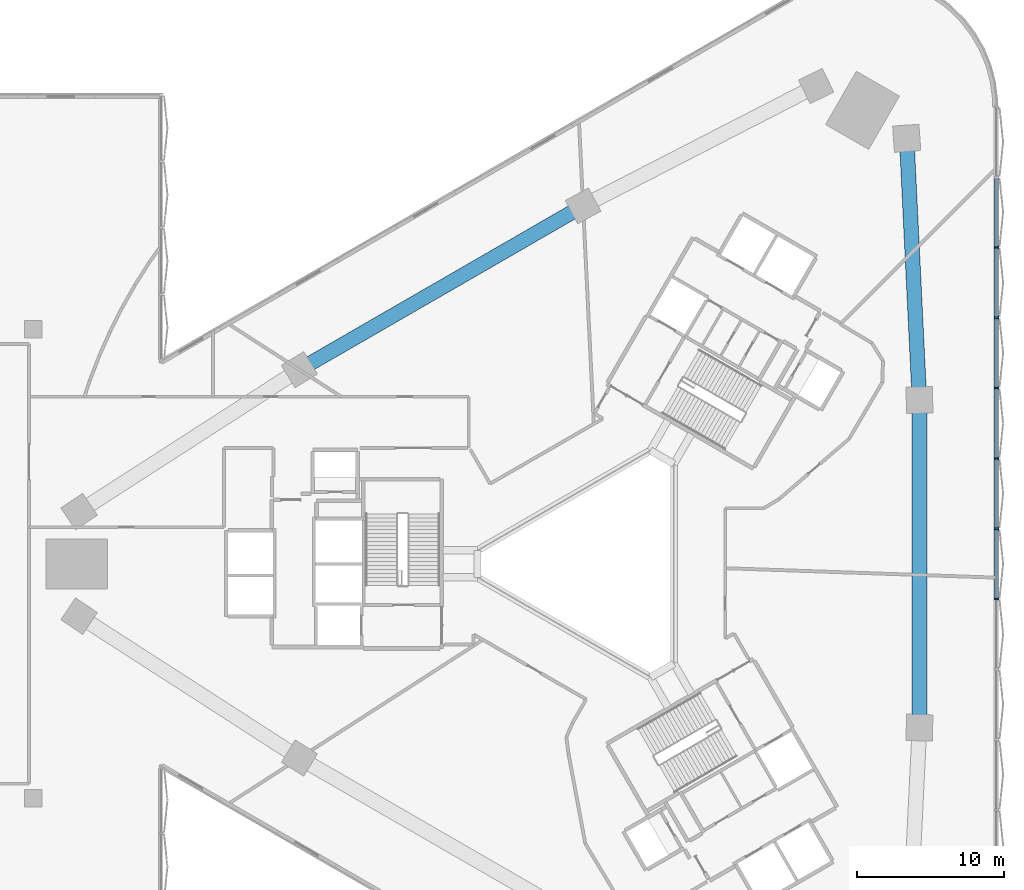
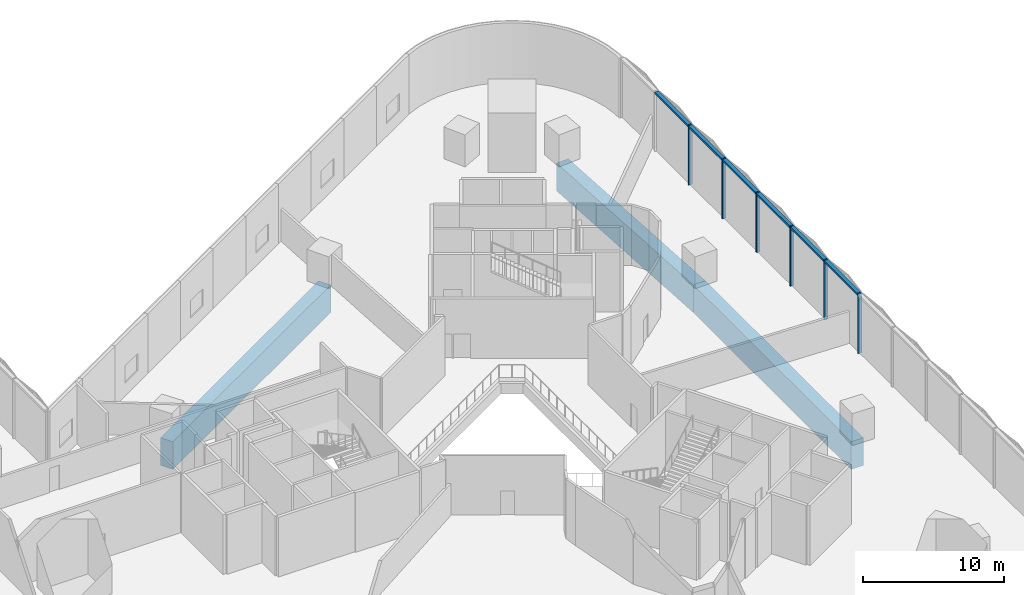
# One storey, part 7 of 31: 8 members, 3 beams, 1 element without a shape of its own.
"""IFC4 building model written with IfcOpenShell, lengths in metres."""

import ifcopenshell
import ifcopenshell.guid

model = None  # the IFC model being written
_history = None  # IfcOwnerHistory: only IFC2X3 demands one
_inside = {}  # id of a spatial element -> (the spatial element, [elements in it])
_under = {}  # id of a project, library or spatial element -> (it, [spatial elements below it])
_declared = {}  # id of a project -> (the project, [libraries it declares])
_typed = {}  # id of a type object -> (the type object, [elements of that type])
_made_of = {}  # id of a material, layer set ... -> (it, [elements and type objects made of it])


def new_model(schema):
    """Start an empty IFC model of exactly this schema.

    Asked for "IFC4X3", IfcOpenShell would pick the latest addendum, in which some entities
    have other attributes; the version numbers below select the first issue.
    IFC2X3 requires an IfcOwnerHistory on every rooted entity: one is made here for all.
    """
    global model, _history
    if schema == "IFC4X3":
        model = ifcopenshell.file(schema_version=(4, 3, 0, 0))
    else:
        model = ifcopenshell.file(schema=schema)
    _inside.clear()
    _under.clear()
    _declared.clear()
    _typed.clear()
    _made_of.clear()
    _history = None
    if model.schema == "IFC2X3":
        org = make("IfcOrganization", Name="unknown")
        user = make(
            "IfcPersonAndOrganization",
            ThePerson=make("IfcPerson", FamilyName="unknown"),
            TheOrganization=org,
        )
        app = make(
            "IfcApplication",
            ApplicationDeveloper=org,
            Version="unknown",
            ApplicationFullName="unknown",
            ApplicationIdentifier="unknown",
        )
        _history = make(
            "IfcOwnerHistory",
            OwningUser=user,
            OwningApplication=app,
            ChangeAction="ADDED",
            CreationDate=0,
        )
    return model


def make(cls, **values):
    """One entity of the class cls with the attributes given. An attribute that is None is left unset."""
    return model.create_entity(
        cls, **{name: value for name, value in values.items() if value is not None}
    )


def rooted(cls, **values):
    """An entity with a GlobalId (a new one), such as an element, a storey or a relation."""
    return make(cls, GlobalId=ifcopenshell.guid.new(), OwnerHistory=_history, **values)


def si_unit(unit_type, name, prefix=None):
    """IfcSIUnit, for example si_unit("LENGTHUNIT", "METRE", prefix="MILLI")."""
    return make("IfcSIUnit", UnitType=unit_type, Prefix=prefix, Name=name)


def assignment(units):
    """IfcUnitAssignment: the units of a project."""
    return None if units is None else make("IfcUnitAssignment", Units=units)


def point(xyz):
    """IfcCartesianPoint."""
    return None if xyz is None else make("IfcCartesianPoint", Coordinates=xyz)


def direction(xyz):
    """IfcDirection."""
    return None if xyz is None else make("IfcDirection", DirectionRatios=xyz)


def frame(location, z_axis=None, x_axis=None):
    """IfcAxis2Placement3D, a coordinate frame: its origin and axes. An axis left out is left unset."""
    return make(
        "IfcAxis2Placement3D",
        Location=point(location),
        Axis=direction(z_axis),
        RefDirection=direction(x_axis),
    )


def frame_2d(location, x_axis=None):
    """IfcAxis2Placement2D, a coordinate frame in the plane: its origin and x axis."""
    return make(
        "IfcAxis2Placement2D", Location=point(location), RefDirection=direction(x_axis)
    )


def origin():
    """The frame at (0, 0, 0) with its axes left unset."""
    return frame((0.0, 0.0, 0.0))


def origin_2d():
    """The frame at (0, 0) in the plane with its x axis left unset."""
    return frame_2d((0.0, 0.0))


def place(relative_to, where):
    """IfcLocalPlacement: puts the frame where relative to a parent placement (None: the world)."""
    return make(
        "IfcLocalPlacement", PlacementRelTo=relative_to, RelativePlacement=where
    )


def context(
    kind, dimensions, precision=None, world=None, true_north=None, identifier=None
):
    """IfcGeometricRepresentationContext, for example the 3D "Model" context."""
    return make(
        "IfcGeometricRepresentationContext",
        ContextIdentifier=identifier,
        ContextType=kind,
        CoordinateSpaceDimension=dimensions,
        Precision=precision,
        WorldCoordinateSystem=world,
        TrueNorth=true_north,
    )


def subcontext(parent, identifier, kind, view, scale=None):
    """IfcGeometricRepresentationSubContext, for example "Body" below "Model"."""
    return make(
        "IfcGeometricRepresentationSubContext",
        ContextIdentifier=identifier,
        ContextType=kind,
        ParentContext=parent,
        TargetScale=scale,
        TargetView=view,
    )


def project(units=None, contexts=None):
    """IfcProject with its units and contexts."""
    return rooted(
        "IfcProject",
        Name="project",
        RepresentationContexts=contexts,
        UnitsInContext=assignment(units),
    )


def spatial(cls, under=None, at=None, **own):
    """A site, building, storey or space (cls), placed at a placement, below another one or the project."""
    s = rooted(cls, ObjectPlacement=at, **own)
    if under is not None:
        _under.setdefault(under.id(), (under, []))[1].append(s)
    return s


def profile(cls, at=None, kind="AREA", **sizes):
    """A parametric profile (cls). Its sizes go by their IFC names, for example OverallWidth=200.0."""
    return make(cls, ProfileType=kind, Position=at, **sizes)


def rectangle(**sizes):
    """IfcRectangleProfileDef."""
    return profile("IfcRectangleProfileDef", **sizes)


def extrude(swept, where, along, depth):
    """IfcExtrudedAreaSolid: the profile swept, set in the frame where, extruded along a direction by depth."""
    return make(
        "IfcExtrudedAreaSolid",
        SweptArea=swept,
        Position=where,
        ExtrudedDirection=direction(along),
        Depth=depth,
    )


def shape(context_of_items, identifier, shape_type, items):
    """IfcShapeRepresentation: the items that make up one representation, for example the "Body"."""
    return make(
        "IfcShapeRepresentation",
        ContextOfItems=context_of_items,
        RepresentationIdentifier=identifier,
        RepresentationType=shape_type,
        Items=items,
    )


def material(Name=None, Category=None):
    """IfcMaterial."""
    return make("IfcMaterial", Name=Name, Category=Category)


def material_profile(
    of_material, cross_section, Name=None, Category=None, Priority=None
):
    """IfcMaterialProfile: a cross section and its material."""
    return make(
        "IfcMaterialProfile",
        Name=Name,
        Material=of_material,
        Profile=cross_section,
        Priority=Priority,
        Category=Category,
    )


def profile_set(profiles, Name=None, composite=None):
    """IfcMaterialProfileSet."""
    return make(
        "IfcMaterialProfileSet",
        Name=Name,
        MaterialProfiles=profiles,
        CompositeProfile=composite,
    )


def made_of(thing, what):
    """Note that an element or type object is made of a material, layer set ...; save() writes the relation."""
    if what is not None:
        _made_of.setdefault(what.id(), (what, []))[1].append(thing)
    return thing


def type_object(cls, material=None, **own):
    """A type object (cls), such as IfcWallType, which elements share."""
    return made_of(rooted(cls, **own), material)


def element(
    cls,
    number,
    at=None,
    inside=None,
    cuts=None,
    type_object=None,
    material=None,
    context=None,
    identifier="Body",
    shape_type=None,
    held_by="IfcProductDefinitionShape",
    body=None,
    shapes=None,
    **own,
):
    """One element of the class cls, such as IfcWall. Its Tag is "e" and its number.

    at: its placement. inside: the storey or other place that contains it. cuts: it is an
    opening in that element (IfcRelVoidsElement). A single representation is given by context,
    identifier, shape_type and body (its items); several are given by shapes. held_by: the class
    of the entity that holds the representations. save() writes the other relations.
    """
    e = rooted(cls, Tag="e%d" % number, ObjectPlacement=at, **own)
    if body is not None:
        shapes = [shape(context, identifier, shape_type, body)]
    if shapes is not None:
        e.Representation = make(held_by, Representations=shapes)
    if inside is not None:
        _inside.setdefault(inside.id(), (inside, []))[1].append(e)
    if cuts is not None:
        rooted(
            "IfcRelVoidsElement", RelatingBuildingElement=cuts, RelatedOpeningElement=e
        )
    if type_object is not None:
        _typed.setdefault(type_object.id(), (type_object, []))[1].append(e)
    return made_of(e, material)


def aggregate(whole, parts):
    """IfcRelAggregates: a whole, such as a stair, and the parts it consists of."""
    return rooted("IfcRelAggregates", RelatingObject=whole, RelatedObjects=parts)


def save(model, path):
    """Write the relations noted so far, then the file.

    IfcRelAggregates (storeys below a building ...), IfcRelContainedInSpatialStructure (elements
    in a storey), IfcRelDefinesByType, IfcRelAssociatesMaterial and IfcRelDeclares: one each for
    every whole, place, type object, material and project.
    """
    for whole, parts in _under.values():
        aggregate(whole, parts)
    for where, things in _inside.values():
        rooted(
            "IfcRelContainedInSpatialStructure",
            RelatedElements=things,
            RelatingStructure=where,
        )
    for kind, things in _typed.values():
        rooted("IfcRelDefinesByType", RelatedObjects=things, RelatingType=kind)
    for what, things in _made_of.values():
        rooted("IfcRelAssociatesMaterial", RelatedObjects=things, RelatingMaterial=what)
    for by, libraries in _declared.values():
        rooted("IfcRelDeclares", RelatingContext=by, RelatedDefinitions=libraries)
    model.write(path)


model = new_model("IFC4")

# Units and contexts
model_context = context("Model", 3, precision=1e-05, world=origin(), true_north=direction((0.0, 1.0)))
body_context = subcontext(model_context, "Body", "Model", "MODEL_VIEW")
ifc_project = project(units=[si_unit("LENGTHUNIT", "METRE"), si_unit("AREAUNIT", "SQUARE_METRE"), si_unit("VOLUMEUNIT", "CUBIC_METRE"), si_unit("PLANEANGLEUNIT", "RADIAN"), si_unit("MASSUNIT", "GRAM", prefix="KILO")], contexts=[model_context])

# Site, building, storey
site_placement = place(None, origin())
site = spatial("IfcSite", under=ifc_project, at=site_placement, CompositionType="ELEMENT")
building_placement = place(site_placement, origin())
building = spatial("IfcBuilding", under=site, at=building_placement, Name="Tamra Quay Hotel Tower", CompositionType="ELEMENT")
storey_placement = place(building_placement, frame((0.0, 0.0, 14.0)))
storey = spatial("IfcBuildingStorey", under=building, at=storey_placement, Name="L02", CompositionType="ELEMENT", Elevation=14.0)

# Curtain wall, members
ifc_material_1 = material(Name="Aluminium 6063 anodised dark grey", Category="aluminium")
curtain_wall_type = type_object("IfcCurtainWallType", Name="CW4 CURTAIN WALL", PredefinedType="NOTDEFINED", material=ifc_material_1)
curtain_wall_placement = place(storey_placement, origin())
curtain_wall = element("IfcCurtainWall", 1, at=curtain_wall_placement, inside=storey, type_object=curtain_wall_type, Name="CW4 east face L02", PredefinedType="NOTDEFINED")
ifc_material_profile_1 = material_profile(ifc_material_1, rectangle(XDim=0.300048828125, YDim=0.1201171875, at=origin_2d()), Name="MULLION 120X300")
ifc_profile_set_1 = profile_set([ifc_material_profile_1], Name="Aluminium 6063 anodised dark grey")
member_type_1 = type_object("IfcMemberType", Name="MULLION CW4", PredefinedType="MULLION", material=ifc_profile_set_1)
member_1_placement = place(storey_placement, frame((27.0, -2.398193359375, 0.0), z_axis=(0.0, 0.0, 1.0), x_axis=(1.0, 0.0, 0.0)))
member_1 = element("IfcMember", 2, at=member_1_placement, type_object=member_type_1, Name="CW4 mullion L02.E.11", PredefinedType="MULLION", context=body_context, shape_type="SweptSolid", body=[
    extrude(rectangle(XDim=0.300048828125, YDim=0.1201171875, at=origin_2d()), origin(), (0.0, 0.0, 1.0), 5.14990234375),
])
member_2_placement = place(storey_placement, frame((27.0, 2.398193359375, 0.0), z_axis=(0.0, 0.0, 1.0), x_axis=(1.0, 0.0, 0.0)))
member_2 = element("IfcMember", 3, at=member_2_placement, type_object=member_type_1, Name="CW4 mullion L02.E.12", PredefinedType="MULLION", context=body_context, shape_type="SweptSolid", body=[
    extrude(rectangle(XDim=0.300048828125, YDim=0.1201171875, at=origin_2d()), origin(), (0.0, 0.0, 1.0), 5.14990234375),
])
member_3_placement = place(storey_placement, frame((27.0, 7.194580078125, 0.0), z_axis=(0.0, 0.0, 1.0), x_axis=(1.0, 0.0, 0.0)))
member_3 = element("IfcMember", 4, at=member_3_placement, type_object=member_type_1, Name="CW4 mullion L02.E.13", PredefinedType="MULLION", context=body_context, shape_type="SweptSolid", body=[
    extrude(rectangle(XDim=0.300048828125, YDim=0.1201171875, at=origin_2d()), origin(), (0.0, 0.0, 1.0), 5.14990234375),
])
member_4_placement = place(storey_placement, frame((27.0, 11.9912109375, 0.0), z_axis=(0.0, 0.0, 1.0), x_axis=(1.0, 0.0, 0.0)))
member_4 = element("IfcMember", 5, at=member_4_placement, type_object=member_type_1, Name="CW4 mullion L02.E.14", PredefinedType="MULLION", context=body_context, shape_type="SweptSolid", body=[
    extrude(rectangle(XDim=0.300048828125, YDim=0.1201171875, at=origin_2d()), origin(), (0.0, 0.0, 1.0), 5.14990234375),
])
member_5_placement = place(storey_placement, frame((27.0, 16.78759765625, 0.0), z_axis=(0.0, 0.0, 1.0), x_axis=(1.0, 0.0, 0.0)))
member_5 = element("IfcMember", 6, at=member_5_placement, type_object=member_type_1, Name="CW4 mullion L02.E.15", PredefinedType="MULLION", context=body_context, shape_type="SweptSolid", body=[
    extrude(rectangle(XDim=0.300048828125, YDim=0.1201171875, at=origin_2d()), origin(), (0.0, 0.0, 1.0), 5.14990234375),
])
member_6_placement = place(storey_placement, frame((27.0, 21.583984375, 0.0), z_axis=(0.0, 0.0, 1.0), x_axis=(1.0, 0.0, 0.0)))
member_6 = element("IfcMember", 7, at=member_6_placement, type_object=member_type_1, Name="CW4 mullion L02.E.16", PredefinedType="MULLION", context=body_context, shape_type="SweptSolid", body=[
    extrude(rectangle(XDim=0.300048828125, YDim=0.1201171875, at=origin_2d()), origin(), (0.0, 0.0, 1.0), 5.14990234375),
])

# Beams
ifc_material_2 = material(Name="Concrete M60", Category="concrete")
ifc_material_profile_2 = material_profile(ifc_material_2, rectangle(XDim=1.0, YDim=2.39990234375, at=origin_2d()), Name="PODIUM RING GIRDER RC 1000x2400")
ifc_profile_set_2 = profile_set([ifc_material_profile_2], Name="Concrete M60")
beam_type = type_object("IfcBeamType", Name="PODIUM RING GIRDER RC 1000x2400", PredefinedType="BEAM", material=ifc_profile_set_2)
beam_1_placement = place(storey_placement, frame((21.7490234375, -11.17431640625, -1.550048828125), z_axis=(0.0, 1.0, 0.0), x_axis=(-1.0, 0.0, 0.0)))
element("IfcBeam", 8, at=beam_1_placement, inside=storey, type_object=beam_type, Name="BM-PG002-L02", PredefinedType="BEAM", context=body_context, shape_type="SweptSolid", body=[
    extrude(rectangle(XDim=1.0, YDim=2.39990234375, at=origin_2d()), origin(), (0.0, 0.0, 1.0), 22.3486328125),
])
beam_2_placement = place(storey_placement, frame((21.7490234375, 11.17431640625, -1.550048828125), z_axis=(-0.048662088022, 0.998815298836, 0.0), x_axis=(-0.998815298836, -0.048662088022, 0.0)))
element("IfcBeam", 9, at=beam_2_placement, inside=storey, type_object=beam_type, Name="BM-PG003-L02", PredefinedType="BEAM", context=body_context, shape_type="SweptSolid", body=[
    extrude(rectangle(XDim=1.0, YDim=2.39990234375, at=origin_2d()), origin(), (0.0, 0.0, 1.0), 17.880859375),
])
beam_3_placement = place(storey_placement, frame((-1.197265625, 24.422607421875, -1.550048828125), z_axis=(-0.866023498866, -0.500003299401, 0.0), x_axis=(0.500003299401, -0.866023498866, 0.0)))
element("IfcBeam", 10, at=beam_3_placement, inside=storey, type_object=beam_type, Name="BM-PG005-L02", PredefinedType="BEAM", context=body_context, shape_type="SweptSolid", body=[
    extrude(rectangle(XDim=1.0, YDim=2.39990234375, at=origin_2d()), origin(), (0.0, 0.0, 1.0), 22.348876953125),
])

# Member
ifc_material_profile_3 = material_profile(ifc_material_1, rectangle(XDim=0.300048828125, YDim=0.179931640625, at=origin_2d()), Name="TRANSOM 300X180")
ifc_profile_set_3 = profile_set([ifc_material_profile_3], Name="Aluminium 6063 anodised dark grey")
member_type_2 = type_object("IfcMemberType", Name="TRANSOM CW4", PredefinedType="USERDEFINED", material=ifc_profile_set_3)
member_7_placement = place(storey_placement, frame((27.0, -2.338134765625, 5.06005859375), z_axis=(0.0, 1.0, 0.0), x_axis=(-1.0, 0.0, 0.0)))
member_7 = element("IfcMember", 11, at=member_7_placement, type_object=member_type_2, Name="CW4 transom L02.E.11", ObjectType="TRANSOM", PredefinedType="USERDEFINED", context=body_context, shape_type="SweptSolid", body=[
    extrude(rectangle(XDim=0.300048828125, YDim=0.179931640625, at=origin_2d()), origin(), (0.0, 0.0, 1.0), 14.269287109375),
])

member_8_placement = place(storey_placement, frame((27.0, 12.051025390625, 5.06005859375), z_axis=(0.0, 1.0, 0.0), x_axis=(-1.0, 0.0, 0.0)))
member_8 = element("IfcMember", 12, at=member_8_placement, type_object=member_type_2, Name="CW4 transom L02.E.14", ObjectType="TRANSOM", PredefinedType="USERDEFINED", context=body_context, shape_type="SweptSolid", body=[
    extrude(rectangle(XDim=0.300048828125, YDim=0.179931640625, at=origin_2d()), origin(), (0.0, 0.0, 1.0), 14.26953125),
])

aggregate(curtain_wall, [member_1, member_7, member_2, member_3, member_4, member_8, member_5, member_6])

save(model, "model.ifc")
